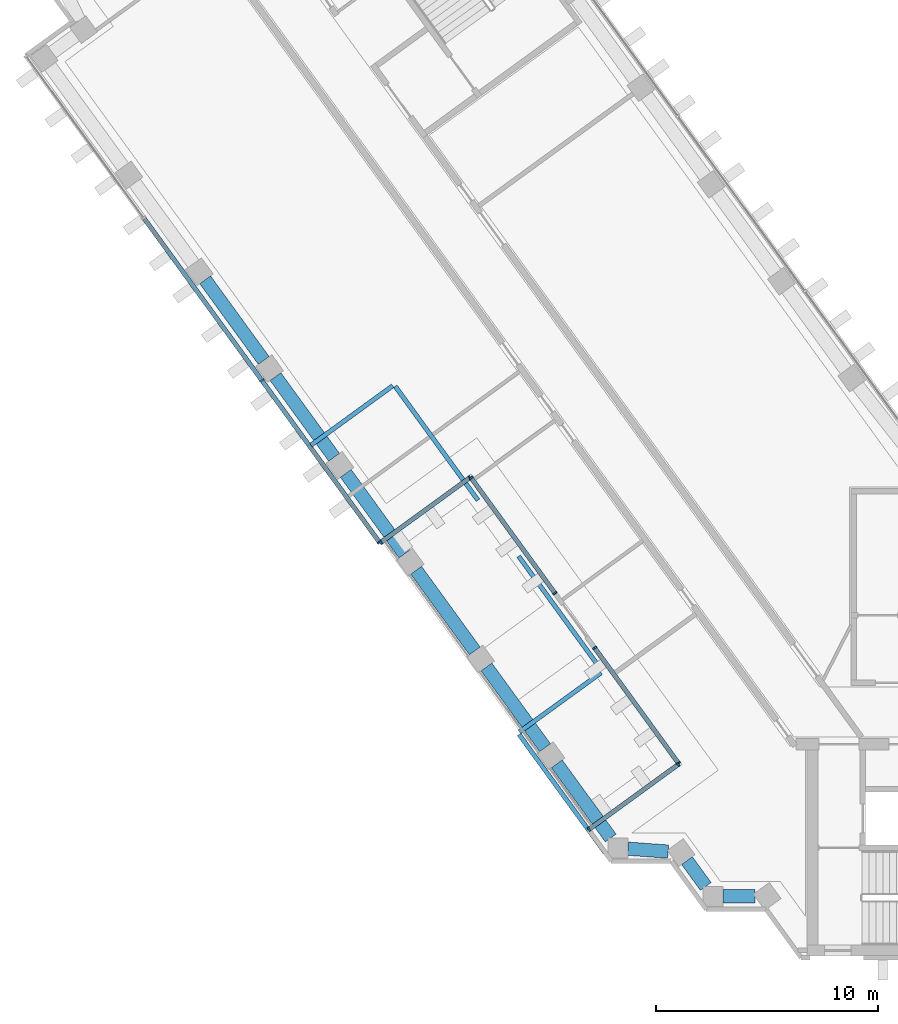
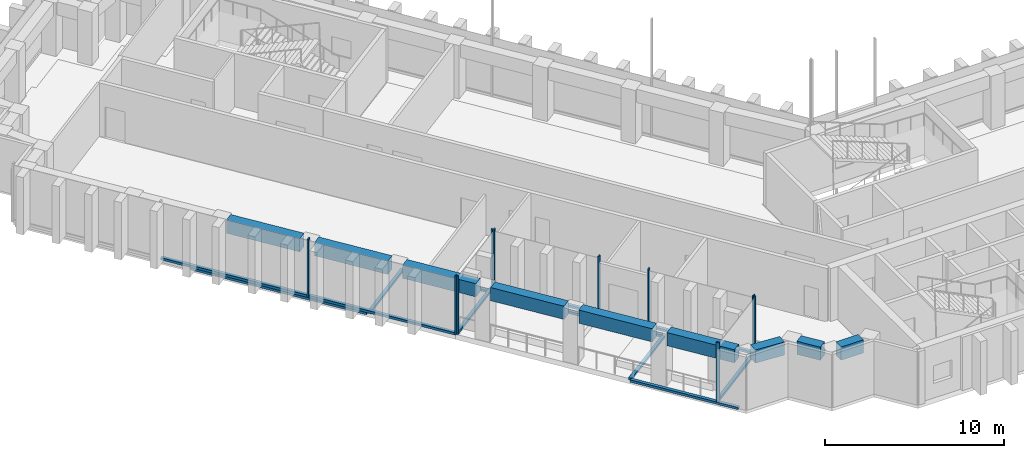
"""IFC4 building model written with IfcOpenShell, lengths in metres."""

from ifc_helpers import new_model, si_unit, direction, frame, origin, origin_2d, place, context, subcontext, project, spatial, rectangle, extrude, material, material_profile, profile_set, type_object, element, aggregate, save


model = new_model("IFC4")

# Units and contexts
model_context = context("Model", 3, precision=1e-05, world=origin(), true_north=direction((0.0, 1.0)))
body_context = subcontext(model_context, "Body", "Model", "MODEL_VIEW")
ifc_project = project(units=[si_unit("LENGTHUNIT", "METRE"), si_unit("AREAUNIT", "SQUARE_METRE"), si_unit("VOLUMEUNIT", "CUBIC_METRE"), si_unit("PLANEANGLEUNIT", "RADIAN"), si_unit("MASSUNIT", "GRAM", prefix="KILO")], contexts=[model_context])

# Site, building, storey
site_placement = place(None, origin())
site = spatial("IfcSite", under=ifc_project, at=site_placement, CompositionType="ELEMENT")
building_placement = place(site_placement, origin())
building = spatial("IfcBuilding", under=site, at=building_placement, Name="Quipu Civic Tower", CompositionType="ELEMENT")
storey_1_placement = place(building_placement, frame((0.0, 0.0, 59.0)))
storey_1 = spatial("IfcBuildingStorey", under=building, at=storey_1_placement, Name="L13", CompositionType="ELEMENT", Elevation=59.0)

# Curtain wall, members
ifc_material_1 = material(Name="Insulated glass unit", Category="glass")
curtain_wall_type = type_object("IfcCurtainWallType", Name="Office curtain wall CW1", PredefinedType="NOTDEFINED", material=ifc_material_1)
curtain_wall_1_placement = place(storey_1_placement, origin())
curtain_wall_1 = element("IfcCurtainWall", 1, at=curtain_wall_1_placement, inside=storey_1, type_object=curtain_wall_type, Name="Office curtain wall CW1 L13 run 1", PredefinedType="NOTDEFINED")
ifc_material_2 = material(Name="Anodised aluminium", Category="aluminium")
ifc_material_profile_1 = material_profile(ifc_material_2, rectangle(XDim=0.199951171875, YDim=0.080078125, at=origin_2d()), Name="RECT 200x80")
ifc_profile_set_1 = profile_set([ifc_material_profile_1], Name="Anodised aluminium")
member_type_1 = type_object("IfcMemberType", Name="Mullion CW1", PredefinedType="MULLION", material=ifc_profile_set_1)
member_1_placement = place(storey_1_placement, frame((-44.595458984375, 14.968505859375, 0.080078125), z_axis=(0.0, 0.0, 1.0), x_axis=(0.809015484525, 0.587787330417, 0.0)))
member_1 = element("IfcMember", 2, at=member_1_placement, type_object=member_type_1, Name="CW1 mullion 3", PredefinedType="MULLION", context=body_context, shape_type="SweptSolid", body=[
    extrude(rectangle(XDim=0.199951171875, YDim=0.080078125, at=origin_2d()), origin(), (0.0, 0.0, 1.0), 4.0),
])
member_2_placement = place(storey_1_placement, frame((-39.289794921875, 7.665771484375, 0.080078125), z_axis=(0.0, 0.0, 1.0), x_axis=(0.809015484525, 0.587787330417, 0.0)))
member_2 = element("IfcMember", 3, at=member_2_placement, type_object=member_type_1, Name="CW1 mullion 4", PredefinedType="MULLION", context=body_context, shape_type="SweptSolid", body=[
    extrude(rectangle(XDim=0.199951171875, YDim=0.080078125, at=origin_2d()), origin(), (0.0, 0.0, 1.0), 4.0),
])

curtain_wall_2_placement = place(storey_1_placement, origin())
curtain_wall_2 = element("IfcCurtainWall", 4, at=curtain_wall_2_placement, inside=storey_1, type_object=curtain_wall_type, Name="Office curtain wall CW1 L13 run 2", PredefinedType="NOTDEFINED")
member_3_placement = place(storey_1_placement, frame((-39.23388671875, 7.656982421875, 0.080078125), z_axis=(0.0, 0.0, 1.0), x_axis=(-0.587784806453, 0.809017318296, 0.0)))
member_3 = element("IfcMember", 5, at=member_3_placement, type_object=member_type_1, Name="CW1 mullion 1", PredefinedType="MULLION", context=body_context, shape_type="SweptSolid", body=[
    extrude(rectangle(XDim=0.199951171875, YDim=0.080078125, at=origin_2d()), origin(), (0.0, 0.0, 1.0), 4.0),
])
member_4_placement = place(storey_1_placement, frame((-35.207275390625, 10.582275390625, 0.080078125), z_axis=(0.0, 0.0, 1.0), x_axis=(-0.587784806453, 0.809017318296, 0.0)))
member_4 = element("IfcMember", 6, at=member_4_placement, type_object=member_type_1, Name="CW1 mullion 2", PredefinedType="MULLION", context=body_context, shape_type="SweptSolid", body=[
    extrude(rectangle(XDim=0.199951171875, YDim=0.080078125, at=origin_2d()), origin(), (0.0, 0.0, 1.0), 4.0),
])

curtain_wall_3_placement = place(storey_1_placement, origin())
curtain_wall_3 = element("IfcCurtainWall", 7, at=curtain_wall_3_placement, inside=storey_1, type_object=curtain_wall_type, Name="Office curtain wall CW1 L13 run 3", PredefinedType="NOTDEFINED")
member_5_placement = place(storey_1_placement, frame((-35.1513671875, 10.573486328125, 0.080078125), z_axis=(0.0, 0.0, 1.0), x_axis=(0.809017290474, 0.587784844747, 0.0)))
member_5 = element("IfcMember", 8, at=member_5_placement, type_object=member_type_1, Name="CW1 mullion 1", PredefinedType="MULLION", context=body_context, shape_type="SweptSolid", body=[
    extrude(rectangle(XDim=0.199951171875, YDim=0.080078125, at=origin_2d()), origin(), (0.0, 0.0, 1.0), 4.0),
])
member_6_placement = place(storey_1_placement, frame((-31.367431640625, 5.364990234375, 0.080078125), z_axis=(0.0, 0.0, 1.0), x_axis=(0.809017290474, 0.587784844747, 0.0)))
member_6 = element("IfcMember", 9, at=member_6_placement, type_object=member_type_1, Name="CW1 mullion 2", PredefinedType="MULLION", context=body_context, shape_type="SweptSolid", body=[
    extrude(rectangle(XDim=0.199951171875, YDim=0.080078125, at=origin_2d()), origin(), (0.0, 0.0, 1.0), 4.0),
])

curtain_wall_4_placement = place(storey_1_placement, origin())
curtain_wall_4 = element("IfcCurtainWall", 10, at=curtain_wall_4_placement, inside=storey_1, type_object=curtain_wall_type, Name="Office curtain wall CW1 L13 run 5", PredefinedType="NOTDEFINED")
member_7_placement = place(storey_1_placement, frame((-29.57861328125, 2.9033203125, 0.080078125), z_axis=(0.0, 0.0, 1.0), x_axis=(0.809023216028, 0.587776688826, 0.0)))
member_7 = element("IfcMember", 11, at=member_7_placement, type_object=member_type_1, Name="CW1 mullion 1", PredefinedType="MULLION", context=body_context, shape_type="SweptSolid", body=[
    extrude(rectangle(XDim=0.199951171875, YDim=0.080078125, at=origin_2d()), origin(), (0.0, 0.0, 1.0), 4.0),
])
member_8_placement = place(storey_1_placement, frame((-25.7939453125, -2.30615234375, 0.080078125), z_axis=(0.0, 0.0, 1.0), x_axis=(0.809023216028, 0.587776688826, 0.0)))
member_8 = element("IfcMember", 12, at=member_8_placement, type_object=member_type_1, Name="CW1 mullion 2", PredefinedType="MULLION", context=body_context, shape_type="SweptSolid", body=[
    extrude(rectangle(XDim=0.199951171875, YDim=0.080078125, at=origin_2d()), origin(), (0.0, 0.0, 1.0), 4.0),
])

curtain_wall_5_placement = place(storey_1_placement, origin())
curtain_wall_5 = element("IfcCurtainWall", 13, at=curtain_wall_5_placement, inside=storey_1, type_object=curtain_wall_type, Name="Office curtain wall CW1 L13 run 6", PredefinedType="NOTDEFINED")
member_9_placement = place(storey_1_placement, frame((-25.802978515625, -2.36181640625, 0.080078125), z_axis=(0.0, 0.0, 1.0), x_axis=(0.587784806453, -0.809017318296, 0.0)))
member_9 = element("IfcMember", 14, at=member_9_placement, type_object=member_type_1, Name="CW1 mullion 1", PredefinedType="MULLION", context=body_context, shape_type="SweptSolid", body=[
    extrude(rectangle(XDim=0.199951171875, YDim=0.080078125, at=origin_2d()), origin(), (0.0, 0.0, 1.0), 4.0),
])
member_10_placement = place(storey_1_placement, frame((-29.829345703125, -5.287353515625, 0.080078125), z_axis=(0.0, 0.0, 1.0), x_axis=(0.587784806453, -0.809017318296, 0.0)))
member_10 = element("IfcMember", 15, at=member_10_placement, type_object=member_type_1, Name="CW1 mullion 2", PredefinedType="MULLION", context=body_context, shape_type="SweptSolid", body=[
    extrude(rectangle(XDim=0.199951171875, YDim=0.080078125, at=origin_2d()), origin(), (0.0, 0.0, 1.0), 4.0),
])

# Beams
ifc_material_3 = material(Name="Concrete C50/60", Category="concrete")
ifc_material_profile_2 = material_profile(ifc_material_3, rectangle(XDim=0.60009765625, YDim=0.89990234375, at=origin_2d()), Name="RC600x900")
ifc_profile_set_2 = profile_set([ifc_material_profile_2], Name="Concrete C50/60")
beam_type = type_object("IfcBeamType", Name="Spandrel beam RC 600x900 C50/60", PredefinedType="SPANDREL", material=ifc_profile_set_2)
beam_1_placement = place(storey_1_placement, frame((-47.15380859375, 19.5107421875, 3.199951171875), z_axis=(0.587803872688, -0.809003465539, 0.0), x_axis=(0.809003465539, 0.587803872688, 0.0)))
element("IfcBeam", 16, at=beam_1_placement, inside=storey_1, type_object=beam_type, Name="Spandrel beam L13 W-OUT-06 to W-OUT-05", PredefinedType="SPANDREL", context=body_context, shape_type="SweptSolid", body=[
    extrude(rectangle(XDim=0.60009765625, YDim=0.89990234375, at=origin_2d()), origin(), (0.0, 0.0, 1.0), 4.499755859375),
])
for number, where, z_axis, x_axis, name in (
    (17, (-43.97998046875, 15.14208984375, 3.199951171875), (0.587778073121, -0.809022210299, 0.0), (0.809022210299, 0.587778073121, 0.0), "Spandrel beam L13 W-OUT-05 to W-OUT-04"),
    (18, (-40.805908203125, 10.7734375, 3.199951171875), (0.587778073121, -0.809022210299, 0.0), (0.809022210299, 0.587778073121, 0.0), "Spandrel beam L13 W-OUT-04 to W-OUT-03"),
):
    element("IfcBeam", number, at=place(storey_1_placement, frame(where, z_axis=z_axis, x_axis=x_axis)), inside=storey_1, type_object=beam_type, Name=name, PredefinedType="SPANDREL", context=body_context, shape_type="SweptSolid", body=[
        extrude(rectangle(XDim=0.60009765625, YDim=0.89990234375, at=origin_2d()), origin(), (0.0, 0.0, 1.0), 4.5),
    ])
beam_2_placement = place(storey_1_placement, frame((-37.6318359375, 6.404541015625, 3.199951171875), z_axis=(0.587803872688, -0.809003465539, 0.0), x_axis=(0.809003465539, 0.587803872688, 0.0)))
element("IfcBeam", 19, at=beam_2_placement, inside=storey_1, type_object=beam_type, Name="Spandrel beam L13 W-OUT-03 to W-OUT-02", PredefinedType="SPANDREL", context=body_context, shape_type="SweptSolid", body=[
    extrude(rectangle(XDim=0.60009765625, YDim=0.89990234375, at=origin_2d()), origin(), (0.0, 0.0, 1.0), 4.499755859375),
])
beam_3_placement = place(storey_1_placement, frame((-34.457763671875, 2.035888671875, 3.199951171875), z_axis=(0.587778073121, -0.809022210299, 0.0), x_axis=(0.809022210299, 0.587778073121, 0.0)))
element("IfcBeam", 20, at=beam_3_placement, inside=storey_1, type_object=beam_type, Name="Spandrel beam L13 W-OUT-02 to W-OUT-01", PredefinedType="SPANDREL", context=body_context, shape_type="SweptSolid", body=[
    extrude(rectangle(XDim=0.60009765625, YDim=0.89990234375, at=origin_2d()), origin(), (0.0, 0.0, 1.0), 4.5),
])
beam_4_placement = place(storey_1_placement, frame((-31.28369140625, -2.332763671875, 3.199951171875), z_axis=(0.587750565781, -0.809042194464, 0.0), x_axis=(0.809042194464, 0.587750565781, 0.0)))
element("IfcBeam", 21, at=beam_4_placement, inside=storey_1, type_object=beam_type, Name="Spandrel beam L13 W-OUT-01 to J-Wo.0", PredefinedType="SPANDREL", context=body_context, shape_type="SweptSolid", body=[
    extrude(rectangle(XDim=0.60009765625, YDim=0.89990234375, at=origin_2d()), origin(), (0.0, 0.0, 1.0), 4.13720703125),
])
beam_5_placement = place(storey_1_placement, frame((-28.074951171875, -6.16259765625, 3.199951171875), z_axis=(0.997367229877, -0.072516265536, 0.0), x_axis=(0.072516265536, 0.997367229877, 0.0)))
element("IfcBeam", 22, at=beam_5_placement, inside=storey_1, type_object=beam_type, Name="Spandrel beam L13 J-Wo.0 to J-Wo.1", PredefinedType="SPANDREL", context=body_context, shape_type="SweptSolid", body=[
    extrude(rectangle(XDim=0.60009765625, YDim=0.89990234375, at=origin_2d()), origin(), (0.0, 0.0, 1.0), 1.818115234375),
])
beam_6_placement = place(storey_1_placement, frame((-25.40966796875, -6.700927734375, 3.199951171875), z_axis=(0.588433824377, -0.808545381738, 0.0), x_axis=(0.808545381738, 0.588433824377, 0.0)))
element("IfcBeam", 23, at=beam_6_placement, inside=storey_1, type_object=beam_type, Name="Spandrel beam L13 J-Wo.1 to J-Wo.2", PredefinedType="SPANDREL", context=body_context, shape_type="SweptSolid", body=[
    extrude(rectangle(XDim=0.60009765625, YDim=0.89990234375, at=origin_2d()), origin(), (0.0, 0.0, 1.0), 1.439697265625),
])
beam_7_placement = place(storey_1_placement, frame((-23.784912109375, -8.31494140625, 3.199951171875), z_axis=(1.0, 0.0, 0.0), x_axis=(0.0, 1.0, 0.0)))
element("IfcBeam", 24, at=beam_7_placement, inside=storey_1, type_object=beam_type, Name="Spandrel beam L13 J-Wo.2 to J-Wo.3", PredefinedType="SPANDREL", context=body_context, shape_type="SweptSolid", body=[
    extrude(rectangle(XDim=0.60009765625, YDim=0.89990234375, at=origin_2d()), origin(), (0.0, 0.0, 1.0), 1.436767578125),
])

# Storey
storey_2_placement = place(building_placement, frame((0.0, 0.0, 55.0)))
storey_2 = spatial("IfcBuildingStorey", under=building, at=storey_2_placement, Name="L12", CompositionType="ELEMENT", Elevation=55.0)

# Curtain wall, member
curtain_wall_6_placement = place(storey_2_placement, origin())
curtain_wall_6 = element("IfcCurtainWall", 25, at=curtain_wall_6_placement, inside=storey_2, type_object=curtain_wall_type, Name="Office curtain wall CW1 L12 run 1", PredefinedType="NOTDEFINED")
ifc_material_4 = material(Name="Anodised aluminium", Category="aluminium")
ifc_material_profile_3 = material_profile(ifc_material_4, rectangle(XDim=0.199951171875, YDim=0.159912109375, at=origin_2d()), Name="RECT 200x160")
ifc_profile_set_3 = profile_set([ifc_material_profile_3], Name="Anodised aluminium")
member_type_2 = type_object("IfcMemberType", Name="Transom CW1", PredefinedType="USERDEFINED", material=ifc_profile_set_3)
member_11_placement = place(storey_1_placement, frame((-48.82373046875, 20.7880859375, 0.0), z_axis=(0.587791890205, -0.809012171608, 0.0), x_axis=(0.809012171608, 0.587791890205, 0.0)))
member_11 = element("IfcMember", 26, at=member_11_placement, inside=storey_1, type_object=member_type_2, Name="CW1 transom 2.2", ObjectType="TRANSOM", PredefinedType="USERDEFINED", context=body_context, shape_type="SweptSolid", body=[
    extrude(rectangle(XDim=0.199951171875, YDim=0.159912109375, at=origin_2d()), origin(), (0.0, 0.0, 1.0), 10.780029296875),
])
aggregate(curtain_wall_6, [member_11])

curtain_wall_7_placement = place(storey_2_placement, origin())
curtain_wall_7 = element("IfcCurtainWall", 27, at=curtain_wall_7_placement, inside=storey_2, type_object=curtain_wall_type, Name="Office curtain wall CW1 L12 run 2", PredefinedType="NOTDEFINED")
member_12_placement = place(storey_1_placement, frame((-42.37548828125, 12.049072265625, 0.0), z_axis=(0.808997958743, 0.587811451701, 0.0), x_axis=(-0.587811451701, 0.808997958743, 0.0)))
member_12 = element("IfcMember", 28, at=member_12_placement, inside=storey_1, type_object=member_type_2, Name="CW1 transom 1.2", ObjectType="TRANSOM", PredefinedType="USERDEFINED", context=body_context, shape_type="SweptSolid", body=[
    extrude(rectangle(XDim=0.199951171875, YDim=0.159912109375, at=origin_2d()), origin(), (0.0, 0.0, 1.0), 4.55419921875),
])
aggregate(curtain_wall_7, [member_12])

curtain_wall_8_placement = place(storey_2_placement, origin())
curtain_wall_8 = element("IfcCurtainWall", 29, at=curtain_wall_8_placement, inside=storey_2, type_object=curtain_wall_type, Name="Office curtain wall CW1 L12 run 3", PredefinedType="NOTDEFINED")
member_13_placement = place(storey_1_placement, frame((-38.579345703125, 14.708251953125, 0.0), z_axis=(0.587778942742, -0.809021578494, 0.0), x_axis=(0.809021578494, 0.587778942742, 0.0)))
member_13 = element("IfcMember", 30, at=member_13_placement, inside=storey_1, type_object=member_type_2, Name="CW1 transom 1.2", ObjectType="TRANSOM", PredefinedType="USERDEFINED", context=body_context, shape_type="SweptSolid", body=[
    extrude(rectangle(XDim=0.199951171875, YDim=0.159912109375, at=origin_2d()), origin(), (0.0, 0.0, 1.0), 6.3583984375),
])
aggregate(curtain_wall_8, [member_13])

curtain_wall_9_placement = place(storey_2_placement, origin())
curtain_wall_9 = element("IfcCurtainWall", 31, at=curtain_wall_9_placement, inside=storey_2, type_object=curtain_wall_type, Name="Office curtain wall CW1 L12 run 5", PredefinedType="NOTDEFINED")
member_14_placement = place(storey_1_placement, frame((-33.00634765625, 7.03759765625, 0.0), z_axis=(0.587778942742, -0.809021578494, 0.0), x_axis=(0.809021578494, 0.587778942742, 0.0)))
member_14 = element("IfcMember", 32, at=member_14_placement, inside=storey_1, type_object=member_type_2, Name="CW1 transom 1.2", ObjectType="TRANSOM", PredefinedType="USERDEFINED", context=body_context, shape_type="SweptSolid", body=[
    extrude(rectangle(XDim=0.199951171875, YDim=0.159912109375, at=origin_2d()), origin(), (0.0, 0.0, 1.0), 6.3583984375),
])
aggregate(curtain_wall_9, [member_14])

curtain_wall_10_placement = place(storey_2_placement, origin())
curtain_wall_10 = element("IfcCurtainWall", 33, at=curtain_wall_10_placement, inside=storey_2, type_object=curtain_wall_type, Name="Office curtain wall CW1 L12 run 6", PredefinedType="NOTDEFINED")
member_15_placement = place(storey_1_placement, frame((-29.28662109375, 1.78173828125, 0.0), z_axis=(-0.809016480289, -0.587785959871, 0.0), x_axis=(0.587785959871, -0.809016480289, 0.0)))
member_15 = element("IfcMember", 34, at=member_15_placement, inside=storey_1, type_object=member_type_2, Name="CW1 transom 1.2", ObjectType="TRANSOM", PredefinedType="USERDEFINED", context=body_context, shape_type="SweptSolid", body=[
    extrude(rectangle(XDim=0.199951171875, YDim=0.159912109375, at=origin_2d()), origin(), (0.0, 0.0, 1.0), 4.554443359375),
])
aggregate(curtain_wall_10, [member_15])

curtain_wall_11_placement = place(storey_2_placement, origin())
curtain_wall_11 = element("IfcCurtainWall", 35, at=curtain_wall_11_placement, inside=storey_2, type_object=curtain_wall_type, Name="Office curtain wall CW1 L12 run 7", PredefinedType="NOTDEFINED")
member_16_placement = place(storey_1_placement, frame((-32.98876953125, -1.0068359375, 0.0), z_axis=(0.587758816929, -0.809036200131, 0.0), x_axis=(0.809036200131, 0.587758816929, 0.0)))
member_16 = element("IfcMember", 36, at=member_16_placement, inside=storey_1, type_object=member_type_2, Name="CW1 transom 1.2", ObjectType="TRANSOM", PredefinedType="USERDEFINED", context=body_context, shape_type="SweptSolid", body=[
    extrude(rectangle(XDim=0.199951171875, YDim=0.159912109375, at=origin_2d()), origin(), (0.0, 0.0, 1.0), 6.611083984375),
])
aggregate(curtain_wall_11, [member_16])

# Member
member_17_placement = place(storey_1_placement, frame((-49.9013671875, 22.271240234375, 0.159912109375), z_axis=(0.587777491231, -0.809022633059, 0.0), x_axis=(0.809022633059, 0.587777491231, 0.0)))
member_17 = element("IfcMember", 37, at=member_17_placement, type_object=member_type_2, Name="CW1 transom 2.1", ObjectType="TRANSOM", PredefinedType="USERDEFINED", context=body_context, shape_type="SweptSolid", body=[
    extrude(rectangle(XDim=0.199951171875, YDim=0.159912109375, at=origin_2d()), origin(), (0.0, 0.0, 1.0), 8.98681640625),
])

member_18_placement = place(storey_1_placement, frame((-44.572021484375, 14.93603515625, 0.159912109375), z_axis=(0.587801687924, -0.809005052934, 0.0), x_axis=(0.809005052934, 0.587801687924, 0.0)))
member_18 = element("IfcMember", 38, at=member_18_placement, type_object=member_type_2, Name="CW1 transom 3.1", ObjectType="TRANSOM", PredefinedType="USERDEFINED", context=body_context, shape_type="SweptSolid", body=[
    extrude(rectangle(XDim=0.199951171875, YDim=0.159912109375, at=origin_2d()), origin(), (0.0, 0.0, 1.0), 8.946533203125),
])

aggregate(curtain_wall_1, [member_1, member_2, member_17, member_18])

member_19_placement = place(storey_1_placement, frame((-39.20166015625, 7.680419921875, 0.159912109375), z_axis=(0.80902486839, 0.587774414488, 0.0), x_axis=(-0.587774414488, 0.80902486839, 0.0)))
member_19 = element("IfcMember", 39, at=member_19_placement, type_object=member_type_2, Name="CW1 transom 1.1", ObjectType="TRANSOM", PredefinedType="USERDEFINED", context=body_context, shape_type="SweptSolid", body=[
    extrude(rectangle(XDim=0.199951171875, YDim=0.159912109375, at=origin_2d()), origin(), (0.0, 0.0, 1.0), 4.897216796875),
])

aggregate(curtain_wall_2, [member_3, member_4, member_19])

member_20_placement = place(storey_1_placement, frame((-35.1279296875, 10.541259765625, 0.159912109375), z_axis=(0.587772069698, -0.809026571926, 0.0), x_axis=(0.809026571926, 0.587772069698, 0.0)))
member_20 = element("IfcMember", 40, at=member_20_placement, type_object=member_type_2, Name="CW1 transom 1.1", ObjectType="TRANSOM", PredefinedType="USERDEFINED", context=body_context, shape_type="SweptSolid", body=[
    extrude(rectangle(XDim=0.199951171875, YDim=0.159912109375, at=origin_2d()), origin(), (0.0, 0.0, 1.0), 6.35791015625),
])

aggregate(curtain_wall_3, [member_5, member_6, member_20])

member_21_placement = place(storey_1_placement, frame((-29.55517578125, 2.870849609375, 0.159912109375), z_axis=(0.587767557609, -0.809029850019, 0.0), x_axis=(0.809029850019, 0.587767557609, 0.0)))
member_21 = element("IfcMember", 41, at=member_21_placement, type_object=member_type_2, Name="CW1 transom 1.1", ObjectType="TRANSOM", PredefinedType="USERDEFINED", context=body_context, shape_type="SweptSolid", body=[
    extrude(rectangle(XDim=0.199951171875, YDim=0.159912109375, at=origin_2d()), origin(), (0.0, 0.0, 1.0), 6.35888671875),
])

aggregate(curtain_wall_4, [member_7, member_8, member_21])

member_22_placement = place(storey_1_placement, frame((-25.835205078125, -2.385498046875, 0.159912109375), z_axis=(-0.80902486839, -0.587774414488, 0.0), x_axis=(0.587774414488, -0.80902486839, 0.0)))
member_22 = element("IfcMember", 42, at=member_22_placement, type_object=member_type_2, Name="CW1 transom 1.1", ObjectType="TRANSOM", PredefinedType="USERDEFINED", context=body_context, shape_type="SweptSolid", body=[
    extrude(rectangle(XDim=0.199951171875, YDim=0.159912109375, at=origin_2d()), origin(), (0.0, 0.0, 1.0), 4.897216796875),
])

aggregate(curtain_wall_5, [member_9, member_10, member_22])

save(model, "model.ifc")
